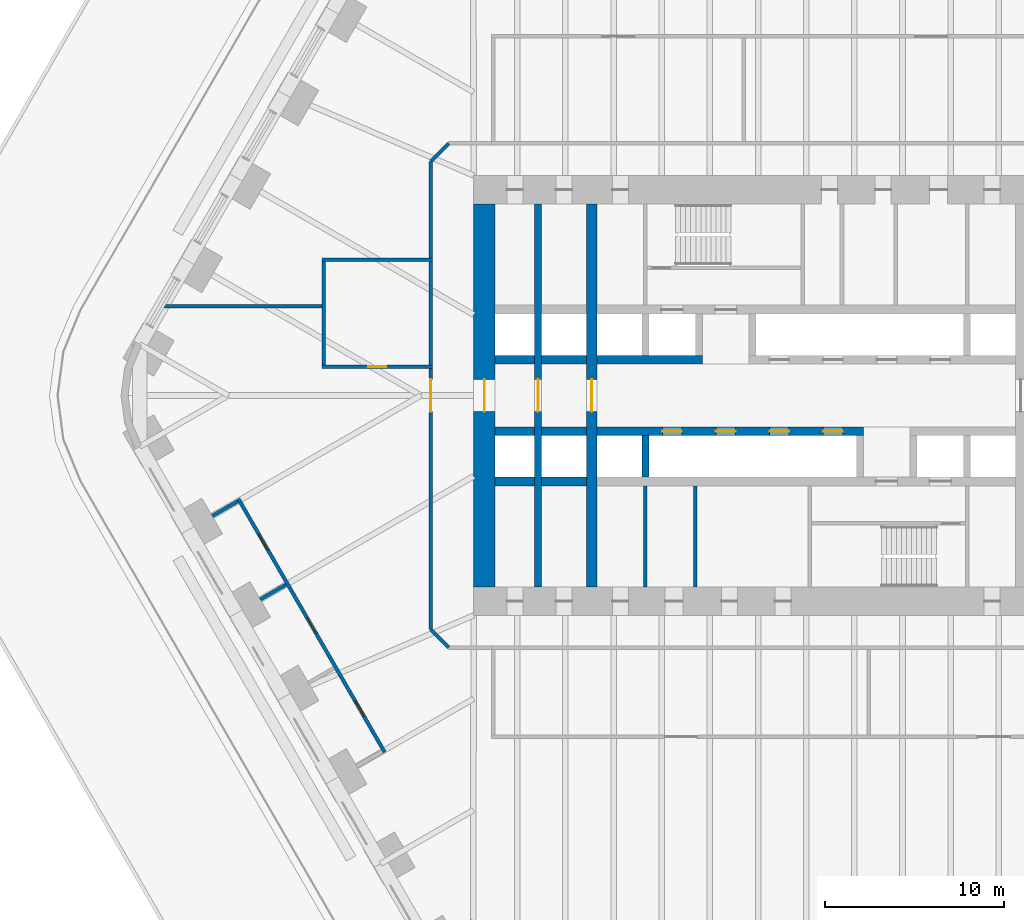
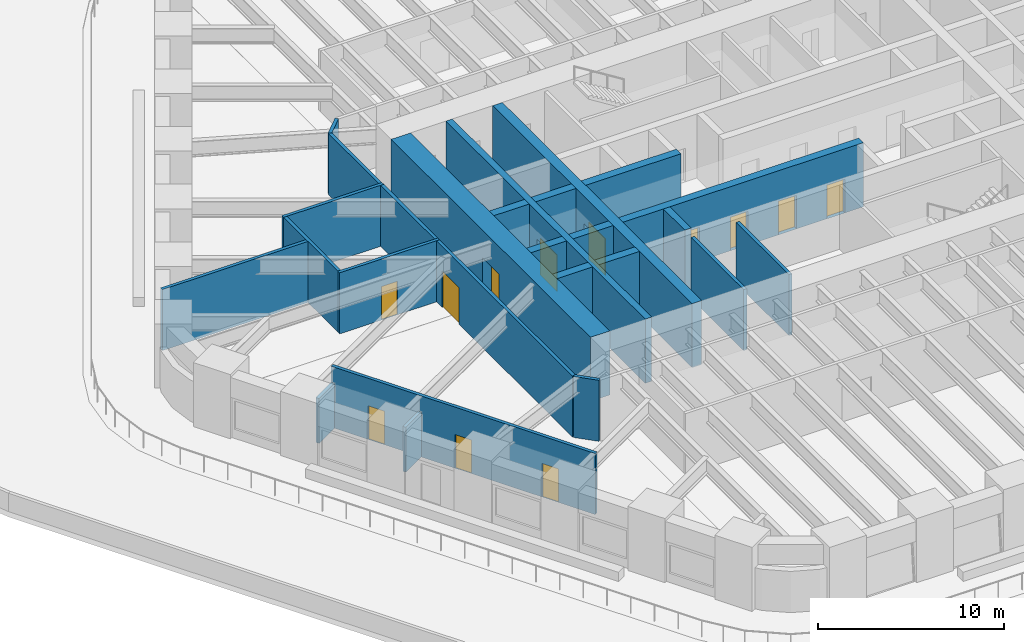
# One storey, part 9 of 17: 26 walls, 12 doors, 12 openings.
"""IFC4 building model written with IfcOpenShell, lengths in metres."""

from ifc_helpers import new_model, si_unit, direction, frame, frame_2d, origin, place, context, subcontext, project, spatial, rectangle, extrude, material, layer, layer_set, type_object, element, fill, save


model = new_model("IFC4")

# Units and contexts
model_context = context("Model", 3, precision=1e-05, world=origin(), true_north=direction((0.0, 1.0)))
body_context = subcontext(model_context, "Body", "Model", "MODEL_VIEW")
ifc_project = project(units=[si_unit("LENGTHUNIT", "METRE"), si_unit("AREAUNIT", "SQUARE_METRE"), si_unit("VOLUMEUNIT", "CUBIC_METRE"), si_unit("PLANEANGLEUNIT", "RADIAN"), si_unit("MASSUNIT", "GRAM", prefix="KILO")], contexts=[model_context])

# Site, building, storey
site_placement = place(None, origin())
site = spatial("IfcSite", under=ifc_project, at=site_placement, CompositionType="ELEMENT")
building_placement = place(site_placement, origin())
building = spatial("IfcBuilding", under=site, at=building_placement, Name="Tarfa Lantern Tower", CompositionType="ELEMENT")
storey_placement = place(building_placement, frame((0.0, 0.0, 23.5)))
storey = spatial("IfcBuildingStorey", under=building, at=storey_placement, Name="L04", CompositionType="ELEMENT", Elevation=23.5)

# Walls
ifc_material_1 = material(Name="Concrete blockwork", Category="masonry")
ifc_layer_1 = layer(ifc_material_1, 0.199951171875)
ifc_layer_set_1 = layer_set([ifc_layer_1], Name="IW1 BLOCKWORK PARTITION 200 EI 120")
wall_type_1 = type_object("IfcWallType", Name="IW1 BLOCKWORK PARTITION 200 EI 120", PredefinedType="PARTITIONING", material=ifc_layer_set_1)
for number, where, z_axis, x_axis, name in (
    (1, (-9.0, -5.050048828125, 0.0), (0.0, 0.0, 1.0), (0.0, -1.0, 0.0), "Core partition"),
    (2, (-6.199951171875, -5.050048828125, 0.0), (0.0, 0.0, 1.0), (0.0, -1.0, 0.0), "Core partition"),
):
    element("IfcWall", number, at=place(storey_placement, frame(where, z_axis=z_axis, x_axis=x_axis)), inside=storey, type_object=wall_type_1, Name=name, PredefinedType="PARTITIONING", context=body_context, shape_type="SweptSolid", body=[
        extrude(rectangle(XDim=5.64990234375, YDim=0.199951171875, at=frame_2d((2.824951171875, 0.0))), origin(), (0.0, 0.0, 1.0), 4.0),
    ])

# Wall, openings, doors
ifc_material_2 = material(Name="Gypsum board on steel studs", Category="steel")
ifc_layer_2 = layer(ifc_material_2, 0.2099609375)
ifc_layer_set_2 = layer_set([ifc_layer_2], Name="IW2 ACOUSTIC PARTITION 200")
wall_type_2 = type_object("IfcWallType", Name="IW2 ACOUSTIC PARTITION 200", PredefinedType="PARTITIONING", material=ifc_layer_set_2)
wall_1_placement = place(storey_placement, frame((-31.765869140625, -5.780029296875, 0.0), z_axis=(0.0, 0.0, 1.0), x_axis=(0.500005677665, -0.866022125758, 0.0)))
wall_1 = element("IfcWall", 3, at=wall_1_placement, inside=storey, type_object=wall_type_2, Name="Partition", PredefinedType="PARTITIONING", context=body_context, shape_type="SweptSolid", body=[
    extrude(rectangle(XDim=16.365966796875, YDim=0.199951171875, at=frame_2d((8.18310546875, 0.0))), origin(), (0.0, 0.0, 1.0), 4.0),
])
opening_1_placement = place(wall_1_placement, frame((2.294189453125, 0.0, 0.0)))
opening_1 = element("IfcOpeningElement", 4, at=opening_1_placement, cuts=wall_1, Name="Opening D31", PredefinedType="OPENING", context=body_context, shape_type="SweptSolid", body=[
    extrude(rectangle(XDim=1.0, YDim=2.199951171875, at=frame_2d((0.5, 1.10009765625))), frame((0.0, 0.10986328125, 0.0), z_axis=(0.0, -1.0, 0.0), x_axis=(1.0, 0.0, 0.0)), (0.0, 0.0, 1.0), 0.219970703125),
])
opening_2_placement = place(wall_1_placement, frame((7.682861328125, 0.0, 0.0)))
opening_2 = element("IfcOpeningElement", 5, at=opening_2_placement, cuts=wall_1, Name="Opening D32", PredefinedType="OPENING", context=body_context, shape_type="SweptSolid", body=[
    extrude(rectangle(XDim=1.0, YDim=2.199951171875, at=frame_2d((0.5, 1.10009765625))), frame((0.0, 0.10986328125, 0.0), z_axis=(0.0, -1.0, 0.0), x_axis=(1.0, 0.0, 0.0)), (0.0, 0.0, 1.0), 0.219970703125),
])
opening_3_placement = place(wall_1_placement, frame((13.071533203125, 0.0, 0.0)))
opening_3 = element("IfcOpeningElement", 6, at=opening_3_placement, cuts=wall_1, Name="Opening D33", PredefinedType="OPENING", context=body_context, shape_type="SweptSolid", body=[
    extrude(rectangle(XDim=1.0, YDim=2.199951171875, at=frame_2d((0.5, 1.10009765625))), frame((0.0, 0.10986328125, 0.0), z_axis=(0.0, -1.0, 0.0), x_axis=(1.0, 0.0, 0.0)), (0.0, 0.0, 1.0), 0.219970703125),
])
ifc_material_3 = material(Name="Timber door", Category="wood")
door_type_1 = type_object("IfcDoorType", Name="DR1 ROOM DOOR 1000x2200", OperationType="SINGLE_SWING_LEFT", PredefinedType="DOOR", material=ifc_material_3)
door_1_placement = place(opening_1_placement, frame((1.0, 0.0, 0.0), z_axis=(0.0, 0.0, 1.0), x_axis=(-1.0, 0.0, 0.0)))
door_1 = element("IfcDoor", 7, at=door_1_placement, inside=storey, type_object=door_type_1, Name="Prayer room male door", OperationType="SINGLE_SWING_LEFT", OverallHeight=2.199951171875, OverallWidth=1.0, PredefinedType="DOOR", context=body_context, shape_type="SweptSolid", body=[
    extrude(rectangle(XDim=1.0, YDim=2.199951171875, at=frame_2d((0.5, 1.10009765625))), frame((0.0, 0.02490234375, 0.0), z_axis=(0.0, -1.0, 0.0), x_axis=(1.0, 0.0, 0.0)), (0.0, 0.0, 1.0), 0.050048828125),
])
fill(opening_1, door_1)
door_2_placement = place(opening_2_placement, frame((1.0, 0.0, 0.0), z_axis=(0.0, 0.0, 1.0), x_axis=(-1.0, 0.0, 0.0)))
door_2 = element("IfcDoor", 8, at=door_2_placement, inside=storey, type_object=door_type_1, Name="Ablution room door", OperationType="SINGLE_SWING_RIGHT", OverallHeight=2.199951171875, OverallWidth=1.0, PredefinedType="DOOR", context=body_context, shape_type="SweptSolid", body=[
    extrude(rectangle(XDim=1.0, YDim=2.199951171875, at=frame_2d((0.5, 1.10009765625))), frame((0.0, 0.02490234375, 0.0), z_axis=(0.0, -1.0, 0.0), x_axis=(1.0, 0.0, 0.0)), (0.0, 0.0, 1.0), 0.050048828125),
])
fill(opening_2, door_2)
door_3_placement = place(opening_3_placement, frame((1.0, 0.0, 0.0), z_axis=(0.0, 0.0, 1.0), x_axis=(-1.0, 0.0, 0.0)))
door_3 = element("IfcDoor", 9, at=door_3_placement, inside=storey, type_object=door_type_1, Name="Prayer room female door", OperationType="SINGLE_SWING_RIGHT", OverallHeight=2.199951171875, OverallWidth=1.0, PredefinedType="DOOR", context=body_context, shape_type="SweptSolid", body=[
    extrude(rectangle(XDim=1.0, YDim=2.199951171875, at=frame_2d((0.5, 1.10009765625))), frame((0.0, 0.02490234375, 0.0), z_axis=(0.0, -1.0, 0.0), x_axis=(1.0, 0.0, 0.0)), (0.0, 0.0, 1.0), 0.050048828125),
])
fill(opening_3, door_3)

# Walls
wall_2_placement = place(storey_placement, frame((-31.802490234375, -5.916748046875, 0.0), z_axis=(0.0, 0.0, 1.0), x_axis=(-0.866003217194, -0.500038426333, 0.0)))
element("IfcWall", 10, at=wall_2_placement, inside=storey, type_object=wall_type_2, Name="Partition", PredefinedType="PARTITIONING", context=body_context, shape_type="SweptSolid", body=[
    extrude(rectangle(XDim=1.649658203125, YDim=0.199951171875, at=frame_2d((0.82470703125, 0.0))), origin(), (0.0, 0.0, 1.0), 2.944091796875),
])
wall_3_placement = place(storey_placement, frame((-29.108154296875, -10.583251953125, 0.0), z_axis=(0.0, 0.0, 1.0), x_axis=(-0.865976140824, -0.500085316245, 0.0)))
element("IfcWall", 11, at=wall_3_placement, inside=storey, type_object=wall_type_2, Name="Partition", PredefinedType="PARTITIONING", context=body_context, shape_type="SweptSolid", body=[
    extrude(rectangle(XDim=1.650146484375, YDim=0.199951171875, at=frame_2d((0.8251953125, 0.0))), origin(), (0.0, 0.0, 1.0), 2.944091796875),
])

# Wall, opening, door
wall_4_placement = place(storey_placement, frame((-20.89990234375, 1.60009765625, 0.0), z_axis=(0.0, 0.0, 1.0), x_axis=(-1.0, 0.0, 0.0)))
wall_4 = element("IfcWall", 12, at=wall_4_placement, inside=storey, type_object=wall_type_2, Name="Partition", PredefinedType="PARTITIONING", context=body_context, shape_type="SweptSolid", body=[
    extrude(rectangle(XDim=6.2001953125, YDim=0.199951171875, at=frame_2d((3.10009765625, 0.0))), origin(), (0.0, 0.0, 1.0), 4.0),
])
opening_4_placement = place(wall_4_placement, frame((2.60009765625, 0.0, 0.0)))
opening_4 = element("IfcOpeningElement", 13, at=opening_4_placement, cuts=wall_4, Name="Opening D34", PredefinedType="OPENING", context=body_context, shape_type="SweptSolid", body=[
    extrude(rectangle(XDim=1.0, YDim=2.199951171875, at=frame_2d((0.5, 1.10009765625))), frame((0.0, 0.10986328125, 0.0), z_axis=(0.0, -1.0, 0.0), x_axis=(1.0, 0.0, 0.0)), (0.0, 0.0, 1.0), 0.219970703125),
])
door_4_placement = place(opening_4_placement, frame((1.0, 0.0, 0.0), z_axis=(0.0, 0.0, 1.0), x_axis=(-1.0, 0.0, 0.0)))
door_4 = element("IfcDoor", 14, at=door_4_placement, inside=storey, type_object=door_type_1, Name="Pantry door", OperationType="SINGLE_SWING_LEFT", OverallHeight=2.199951171875, OverallWidth=1.0, PredefinedType="DOOR", context=body_context, shape_type="SweptSolid", body=[
    extrude(rectangle(XDim=1.0, YDim=2.199951171875, at=frame_2d((0.5, 1.10009765625))), frame((0.0, 0.02490234375, 0.0), z_axis=(0.0, -1.0, 0.0), x_axis=(1.0, 0.0, 0.0)), (0.0, 0.0, 1.0), 0.050048828125),
])
fill(opening_4, door_4)

# Walls
wall_5_placement = place(storey_placement, frame((-20.89990234375, 7.60009765625, 0.0), z_axis=(0.0, 0.0, 1.0), x_axis=(-1.0, 0.0, 0.0)))
element("IfcWall", 15, at=wall_5_placement, inside=storey, type_object=wall_type_2, Name="Partition", PredefinedType="PARTITIONING", context=body_context, shape_type="SweptSolid", body=[
    extrude(rectangle(XDim=6.2001953125, YDim=0.199951171875, at=frame_2d((3.10009765625, 0.0))), origin(), (0.0, 0.0, 1.0), 4.0),
])
for number, where, z_axis, x_axis, name in (
    (16, (-21.0, 1.699951171875, 0.0), (0.0, 0.0, 1.0), (0.0, 1.0, 0.0), "Partition"),
    (17, (-27.0, 1.699951171875, 0.0), (0.0, 0.0, 1.0), (0.0, 1.0, 0.0), "Partition"),
):
    element("IfcWall", number, at=place(storey_placement, frame(where, z_axis=z_axis, x_axis=x_axis)), inside=storey, type_object=wall_type_2, Name=name, PredefinedType="PARTITIONING", context=body_context, shape_type="SweptSolid", body=[
        extrude(rectangle(XDim=5.800048828125, YDim=0.199951171875, at=frame_2d((2.89990234375, 0.0))), origin(), (0.0, 0.0, 1.0), 4.0),
    ])
wall_6_placement = place(storey_placement, frame((-20.0, -14.10009765625, 0.0), z_axis=(0.0, 0.0, 1.0), x_axis=(-0.707106781187, 0.707106781187, 0.0)))
element("IfcWall", 18, at=wall_6_placement, inside=storey, type_object=wall_type_2, Name="Partition", PredefinedType="PARTITIONING", context=body_context, shape_type="SweptSolid", body=[
    extrude(rectangle(XDim=1.414306640625, YDim=0.199951171875, at=frame_2d((0.70703125, 0.0))), origin(), (0.0, 0.0, 1.0), 4.0),
])

# Wall, opening, door
wall_7_placement = place(storey_placement, frame((-21.0, -13.10009765625, 0.0), z_axis=(0.0, 0.0, 1.0), x_axis=(0.0, 1.0, 0.0)))
wall_7 = element("IfcWall", 19, at=wall_7_placement, inside=storey, type_object=wall_type_2, Name="Partition", PredefinedType="PARTITIONING", context=body_context, shape_type="SweptSolid", body=[
    extrude(rectangle(XDim=14.59912109375, YDim=0.199951171875, at=frame_2d((7.299560546875, 0.0))), origin(), (0.0, 0.0, 1.0), 4.0),
])
opening_5_placement = place(wall_7_placement, frame((12.199951171875, 0.0, 0.0)))
opening_5 = element("IfcOpeningElement", 20, at=opening_5_placement, cuts=wall_7, Name="Opening D42", PredefinedType="OPENING", context=body_context, shape_type="SweptSolid", body=[
    extrude(rectangle(XDim=1.800048828125, YDim=2.39990234375, at=frame_2d((0.89990234375, 1.199951171875))), frame((0.0, 0.10986328125, 0.0), z_axis=(0.0, -1.0, 0.0), x_axis=(1.0, 0.0, 0.0)), (0.0, 0.0, 1.0), 0.219970703125),
])
door_type_2 = type_object("IfcDoorType", Name="DR2 ROOM DOOR 1800x2400", OperationType="DOUBLE_DOOR_SINGLE_SWING", PredefinedType="DOOR", material=ifc_material_3)
door_5_placement = place(opening_5_placement, origin())
door_5 = element("IfcDoor", 21, at=door_5_placement, inside=storey, type_object=door_type_2, Name="Corridor door", OperationType="DOUBLE_DOOR_SINGLE_SWING", OverallHeight=2.39990234375, OverallWidth=1.800048828125, PredefinedType="DOOR", context=body_context, shape_type="SweptSolid", body=[
    extrude(rectangle(XDim=1.800048828125, YDim=2.39990234375, at=frame_2d((0.89990234375, 1.199951171875))), frame((0.0, 0.02490234375, 0.0), z_axis=(0.0, -1.0, 0.0), x_axis=(1.0, 0.0, 0.0)), (0.0, 0.0, 1.0), 0.050048828125),
])
fill(opening_5, door_5)

# Walls
wall_8_placement = place(storey_placement, frame((-21.0, 7.700927734375, 0.0), z_axis=(0.0, 0.0, 1.0), x_axis=(0.0, 1.0, 0.0)))
element("IfcWall", 22, at=wall_8_placement, inside=storey, type_object=wall_type_2, Name="Partition", PredefinedType="PARTITIONING", context=body_context, shape_type="SweptSolid", body=[
    extrude(rectangle(XDim=5.399169921875, YDim=0.199951171875, at=frame_2d((2.69970703125, 0.0))), origin(), (0.0, 0.0, 1.0), 4.0),
])
wall_9_placement = place(storey_placement, frame((-21.0, 13.10009765625, 0.0), z_axis=(0.0, 0.0, 1.0), x_axis=(0.707106781187, 0.707106781187, 0.0)))
element("IfcWall", 23, at=wall_9_placement, inside=storey, type_object=wall_type_2, Name="Partition", PredefinedType="PARTITIONING", context=body_context, shape_type="SweptSolid", body=[
    extrude(rectangle(XDim=1.414306640625, YDim=0.199951171875, at=frame_2d((0.70703125, 0.0))), origin(), (0.0, 0.0, 1.0), 4.0),
])
wall_10_placement = place(storey_placement, frame((-27.10009765625, 5.0, 0.0), z_axis=(0.0, 0.0, 1.0), x_axis=(-1.0, 0.0, 0.0)))
element("IfcWall", 24, at=wall_10_placement, inside=storey, type_object=wall_type_2, Name="Partition", PredefinedType="PARTITIONING", context=body_context, shape_type="SweptSolid", body=[
    extrude(rectangle(XDim=9.018798828125, YDim=0.199951171875, at=frame_2d((4.50927734375, 0.0))), origin(), (0.0, 0.0, 1.0), 4.0),
])

# Wall, opening, door
ifc_material_4 = material(Name="Concrete C80/95", Category="concrete")
ifc_layer_3 = layer(ifc_material_4, 1.199951171875)
ifc_layer_set_3 = layer_set([ifc_layer_3], Name="SW1 CORE WALL 1200")
wall_type_3 = type_object("IfcWallType", Name="SW1 CORE WALL 1200", PredefinedType="SHEAR", material=ifc_layer_set_3)
wall_11_placement = place(storey_placement, frame((-18.0, 10.699951171875, 0.0), z_axis=(0.0, 0.0, 1.0), x_axis=(0.0, -1.0, 0.0)))
wall_11 = element("IfcWall", 25, at=wall_11_placement, inside=storey, type_object=wall_type_3, Name="Core wall W", PredefinedType="SHEAR", context=body_context, shape_type="SweptSolid", body=[
    extrude(rectangle(XDim=21.39990234375, YDim=1.199951171875, at=frame_2d((10.699951171875, 0.0))), origin(), (0.0, 0.0, 1.0), 4.199951171875),
])
opening_6_placement = place(wall_11_placement, frame((9.800048828125, 0.0, 0.0)))
opening_6 = element("IfcOpeningElement", 26, at=opening_6_placement, cuts=wall_11, Name="Opening D16", PredefinedType="OPENING", context=body_context, shape_type="SweptSolid", body=[
    extrude(rectangle(XDim=1.800048828125, YDim=2.39990234375, at=frame_2d((0.89990234375, 1.199951171875))), frame((0.0, 0.60986328125, 0.0), z_axis=(0.0, -1.0, 0.0), x_axis=(1.0, 0.0, 0.0)), (0.0, 0.0, 1.0), 1.219970703125),
])
ifc_material_5 = material(Name="Steel fire door", Category="steel")
door_type_3 = type_object("IfcDoorType", Name="DL1 LOBBY DOOR 1800x2400", OperationType="DOUBLE_DOOR_SINGLE_SWING", PredefinedType="DOOR", material=ifc_material_5)
door_6_placement = place(opening_6_placement, frame((1.800048828125, 0.0, 0.0), z_axis=(0.0, 0.0, 1.0), x_axis=(-1.0, 0.0, 0.0)))
door_6 = element("IfcDoor", 27, at=door_6_placement, inside=storey, type_object=door_type_3, Name="Lift lobby door", OperationType="DOUBLE_DOOR_SINGLE_SWING", OverallHeight=2.39990234375, OverallWidth=1.800048828125, PredefinedType="DOOR", context=body_context, shape_type="SweptSolid", body=[
    extrude(rectangle(XDim=1.800048828125, YDim=2.39990234375, at=frame_2d((0.89990234375, 1.199951171875))), frame((0.0, 0.02490234375, 0.0), z_axis=(0.0, -1.0, 0.0), x_axis=(1.0, 0.0, 0.0)), (0.0, 0.0, 1.0), 0.050048828125),
])
fill(opening_6, door_6)

# Walls
ifc_layer_4 = layer(ifc_material_4, 0.5)
ifc_layer_set_4 = layer_set([ifc_layer_4], Name="SW5 CORE WALL 500")
wall_type_4 = type_object("IfcWallType", Name="SW5 CORE WALL 500", PredefinedType="SHEAR", material=ifc_layer_set_4)
wall_12_placement = place(storey_placement, frame((-17.39990234375, 2.0, 0.0), z_axis=(0.0, 0.0, 1.0), x_axis=(1.0, 0.0, 0.0)))
element("IfcWall", 28, at=wall_12_placement, inside=storey, type_object=wall_type_4, Name="Core wall lobby west N", PredefinedType="SHEAR", context=body_context, shape_type="SweptSolid", body=[
    extrude(rectangle(XDim=2.199951171875, YDim=0.5, at=frame_2d((1.10009765625, 0.0))), origin(), (0.0, 0.0, 1.0), 4.199951171875),
])
wall_13_placement = place(storey_placement, frame((-14.800048828125, 2.0, 0.0), z_axis=(0.0, 0.0, 1.0), x_axis=(1.0, 0.0, 0.0)))
element("IfcWall", 29, at=wall_13_placement, inside=storey, type_object=wall_type_4, Name="Core wall lobby west N", PredefinedType="SHEAR", context=body_context, shape_type="SweptSolid", body=[
    extrude(rectangle(XDim=2.5, YDim=0.5, at=frame_2d((1.25, 0.0))), origin(), (0.0, 0.0, 1.0), 4.199951171875),
])
wall_14_placement = place(storey_placement, frame((-11.699951171875, 2.0, 0.0), z_axis=(0.0, 0.0, 1.0), x_axis=(1.0, 0.0, 0.0)))
element("IfcWall", 30, at=wall_14_placement, inside=storey, type_object=wall_type_4, Name="Core wall lobby west N", PredefinedType="SHEAR", context=body_context, shape_type="SweptSolid", body=[
    extrude(rectangle(XDim=5.89990234375, YDim=0.5, at=frame_2d((2.949951171875, 0.0))), origin(), (0.0, 0.0, 1.0), 4.199951171875),
])

# Wall, openings, doors
wall_15_placement = place(storey_placement, frame((3.199951171875, -2.0, 0.0), z_axis=(0.0, 0.0, 1.0), x_axis=(-1.0, 0.0, 0.0)))
wall_15 = element("IfcWall", 31, at=wall_15_placement, inside=storey, type_object=wall_type_4, Name="Core wall lobby east S", PredefinedType="SHEAR", context=body_context, shape_type="SweptSolid", body=[
    extrude(rectangle(XDim=14.89990234375, YDim=0.5, at=frame_2d((7.449951171875, 0.0))), origin(), (0.0, 0.0, 1.0), 4.199951171875),
])
opening_7_placement = place(wall_15_placement, frame((1.14990234375, 0.0, 0.0)))
opening_7 = element("IfcOpeningElement", 32, at=opening_7_placement, cuts=wall_15, Name="Opening LD07", PredefinedType="OPENING", context=body_context, shape_type="SweptSolid", body=[
    extrude(rectangle(XDim=1.10009765625, YDim=2.199951171875, at=frame_2d((0.550048828125, 1.10009765625))), frame((0.0, 0.260009765625, 0.0), z_axis=(0.0, -1.0, 0.0), x_axis=(1.0, 0.0, 0.0)), (0.0, 0.0, 1.0), 0.52001953125),
])
opening_8_placement = place(wall_15_placement, frame((4.14990234375, 0.0, 0.0)))
opening_8 = element("IfcOpeningElement", 33, at=opening_8_placement, cuts=wall_15, Name="Opening LD08", PredefinedType="OPENING", context=body_context, shape_type="SweptSolid", body=[
    extrude(rectangle(XDim=1.10009765625, YDim=2.199951171875, at=frame_2d((0.550048828125, 1.10009765625))), frame((0.0, 0.260009765625, 0.0), z_axis=(0.0, -1.0, 0.0), x_axis=(1.0, 0.0, 0.0)), (0.0, 0.0, 1.0), 0.52001953125),
])
opening_9_placement = place(wall_15_placement, frame((7.14990234375, 0.0, 0.0)))
opening_9 = element("IfcOpeningElement", 34, at=opening_9_placement, cuts=wall_15, Name="Opening LD09", PredefinedType="OPENING", context=body_context, shape_type="SweptSolid", body=[
    extrude(rectangle(XDim=1.10009765625, YDim=2.199951171875, at=frame_2d((0.550048828125, 1.10009765625))), frame((0.0, 0.260009765625, 0.0), z_axis=(0.0, -1.0, 0.0), x_axis=(1.0, 0.0, 0.0)), (0.0, 0.0, 1.0), 0.52001953125),
])
opening_10_placement = place(wall_15_placement, frame((10.14990234375, 0.0, 0.0)))
opening_10 = element("IfcOpeningElement", 35, at=opening_10_placement, cuts=wall_15, Name="Opening LD10", PredefinedType="OPENING", context=body_context, shape_type="SweptSolid", body=[
    extrude(rectangle(XDim=1.10009765625, YDim=2.199951171875, at=frame_2d((0.550048828125, 1.10009765625))), frame((0.0, 0.260009765625, 0.0), z_axis=(0.0, -1.0, 0.0), x_axis=(1.0, 0.0, 0.0)), (0.0, 0.0, 1.0), 0.52001953125),
])
ifc_material_6 = material(Name="Stainless steel lift door", Category="steel")
door_type_4 = type_object("IfcDoorType", Name="LD2 LIFT LANDING DOOR 1100x2200", OperationType="SLIDING_TO_LEFT", PredefinedType="DOOR", material=ifc_material_6)
door_7_placement = place(opening_7_placement, frame((1.10009765625, 0.0, 0.0), z_axis=(0.0, 0.0, 1.0), x_axis=(-1.0, 0.0, 0.0)))
door_7 = element("IfcDoor", 36, at=door_7_placement, inside=storey, type_object=door_type_4, Name="Landing door PA5", OperationType="SLIDING_TO_LEFT", OverallHeight=2.199951171875, OverallWidth=1.10009765625, PredefinedType="DOOR", context=body_context, shape_type="SweptSolid", body=[
    extrude(rectangle(XDim=1.10009765625, YDim=2.199951171875, at=frame_2d((0.550048828125, 1.10009765625))), frame((0.0, 0.02490234375, 0.0), z_axis=(0.0, -1.0, 0.0), x_axis=(1.0, 0.0, 0.0)), (0.0, 0.0, 1.0), 0.050048828125),
])
fill(opening_7, door_7)
door_8_placement = place(opening_8_placement, frame((1.10009765625, 0.0, 0.0), z_axis=(0.0, 0.0, 1.0), x_axis=(-1.0, 0.0, 0.0)))
door_8 = element("IfcDoor", 37, at=door_8_placement, inside=storey, type_object=door_type_4, Name="Landing door PA6", OperationType="SLIDING_TO_LEFT", OverallHeight=2.199951171875, OverallWidth=1.10009765625, PredefinedType="DOOR", context=body_context, shape_type="SweptSolid", body=[
    extrude(rectangle(XDim=1.10009765625, YDim=2.199951171875, at=frame_2d((0.550048828125, 1.10009765625))), frame((0.0, 0.02490234375, 0.0), z_axis=(0.0, -1.0, 0.0), x_axis=(1.0, 0.0, 0.0)), (0.0, 0.0, 1.0), 0.050048828125),
])
fill(opening_8, door_8)
door_9_placement = place(opening_9_placement, frame((1.10009765625, 0.0, 0.0), z_axis=(0.0, 0.0, 1.0), x_axis=(-1.0, 0.0, 0.0)))
door_9 = element("IfcDoor", 38, at=door_9_placement, inside=storey, type_object=door_type_4, Name="Landing door PA7", OperationType="SLIDING_TO_LEFT", OverallHeight=2.199951171875, OverallWidth=1.10009765625, PredefinedType="DOOR", context=body_context, shape_type="SweptSolid", body=[
    extrude(rectangle(XDim=1.10009765625, YDim=2.199951171875, at=frame_2d((0.550048828125, 1.10009765625))), frame((0.0, 0.02490234375, 0.0), z_axis=(0.0, -1.0, 0.0), x_axis=(1.0, 0.0, 0.0)), (0.0, 0.0, 1.0), 0.050048828125),
])
fill(opening_9, door_9)
door_10_placement = place(opening_10_placement, frame((1.10009765625, 0.0, 0.0), z_axis=(0.0, 0.0, 1.0), x_axis=(-1.0, 0.0, 0.0)))
door_10 = element("IfcDoor", 39, at=door_10_placement, inside=storey, type_object=door_type_4, Name="Landing door PA8", OperationType="SLIDING_TO_LEFT", OverallHeight=2.199951171875, OverallWidth=1.10009765625, PredefinedType="DOOR", context=body_context, shape_type="SweptSolid", body=[
    extrude(rectangle(XDim=1.10009765625, YDim=2.199951171875, at=frame_2d((0.550048828125, 1.10009765625))), frame((0.0, 0.02490234375, 0.0), z_axis=(0.0, -1.0, 0.0), x_axis=(1.0, 0.0, 0.0)), (0.0, 0.0, 1.0), 0.050048828125),
])
fill(opening_10, door_10)

# Walls
wall_16_placement = place(storey_placement, frame((-12.300048828125, -2.0, 0.0), z_axis=(0.0, 0.0, 1.0), x_axis=(-1.0, 0.0, 0.0)))
element("IfcWall", 40, at=wall_16_placement, inside=storey, type_object=wall_type_4, Name="Core wall lobby east S", PredefinedType="SHEAR", context=body_context, shape_type="SweptSolid", body=[
    extrude(rectangle(XDim=2.5, YDim=0.5, at=frame_2d((1.25, 0.0))), origin(), (0.0, 0.0, 1.0), 4.199951171875),
])
wall_17_placement = place(storey_placement, frame((-15.199951171875, -2.0, 0.0), z_axis=(0.0, 0.0, 1.0), x_axis=(-1.0, 0.0, 0.0)))
element("IfcWall", 41, at=wall_17_placement, inside=storey, type_object=wall_type_4, Name="Core wall lobby east S", PredefinedType="SHEAR", context=body_context, shape_type="SweptSolid", body=[
    extrude(rectangle(XDim=2.199951171875, YDim=0.5, at=frame_2d((1.10009765625, 0.0))), origin(), (0.0, 0.0, 1.0), 4.199951171875),
])
wall_18_placement = place(storey_placement, frame((-12.300048828125, -4.800048828125, 0.0), z_axis=(0.0, 0.0, 1.0), x_axis=(-1.0, 0.0, 0.0)))
element("IfcWall", 42, at=wall_18_placement, inside=storey, type_object=wall_type_4, Name="Core wall rear S", PredefinedType="SHEAR", context=body_context, shape_type="SweptSolid", body=[
    extrude(rectangle(XDim=2.5, YDim=0.5, at=frame_2d((1.25, 0.0))), origin(), (0.0, 0.0, 1.0), 4.199951171875),
])
wall_19_placement = place(storey_placement, frame((-15.199951171875, -4.800048828125, 0.0), z_axis=(0.0, 0.0, 1.0), x_axis=(-1.0, 0.0, 0.0)))
element("IfcWall", 43, at=wall_19_placement, inside=storey, type_object=wall_type_4, Name="Core wall rear S", PredefinedType="SHEAR", context=body_context, shape_type="SweptSolid", body=[
    extrude(rectangle(XDim=2.199951171875, YDim=0.5, at=frame_2d((1.10009765625, 0.0))), origin(), (0.0, 0.0, 1.0), 4.199951171875),
])

# Wall, opening, door
ifc_layer_5 = layer(ifc_material_4, 0.39990234375)
ifc_layer_set_5 = layer_set([ifc_layer_5], Name="SW6 CORE WALL 400")
wall_type_5 = type_object("IfcWallType", Name="SW6 CORE WALL 400", PredefinedType="SHEAR", material=ifc_layer_set_5)
wall_20_placement = place(storey_placement, frame((-15.0, -10.699951171875, 0.0), z_axis=(0.0, 0.0, 1.0), x_axis=(0.0, 1.0, 0.0)))
wall_20 = element("IfcWall", 44, at=wall_20_placement, inside=storey, type_object=wall_type_5, Name="Core wall cross 15 m west", PredefinedType="SHEAR", context=body_context, shape_type="SweptSolid", body=[
    extrude(rectangle(XDim=21.39990234375, YDim=0.39990234375, at=frame_2d((10.699951171875, 0.0))), origin(), (0.0, 0.0, 1.0), 4.199951171875),
])
opening_11_placement = place(wall_20_placement, frame((9.800048828125, 0.0, 0.0)))
opening_11 = element("IfcOpeningElement", 45, at=opening_11_placement, cuts=wall_20, Name="Opening D28", PredefinedType="OPENING", context=body_context, shape_type="SweptSolid", body=[
    extrude(rectangle(XDim=1.800048828125, YDim=2.39990234375, at=frame_2d((0.89990234375, 1.199951171875))), frame((0.0, 0.2099609375, 0.0), z_axis=(0.0, -1.0, 0.0), x_axis=(1.0, 0.0, 0.0)), (0.0, 0.0, 1.0), 0.419921875),
])
door_11_placement = place(opening_11_placement, origin())
door_11 = element("IfcDoor", 46, at=door_11_placement, inside=storey, type_object=door_type_3, Name="Lift lobby door", OperationType="DOUBLE_DOOR_SINGLE_SWING", OverallHeight=2.39990234375, OverallWidth=1.800048828125, PredefinedType="DOOR", context=body_context, shape_type="SweptSolid", body=[
    extrude(rectangle(XDim=1.800048828125, YDim=2.39990234375, at=frame_2d((0.89990234375, 1.199951171875))), frame((0.0, 0.02490234375, 0.0), z_axis=(0.0, -1.0, 0.0), x_axis=(1.0, 0.0, 0.0)), (0.0, 0.0, 1.0), 0.050048828125),
])
fill(opening_11, door_11)

# Wall
wall_21_placement = place(storey_placement, frame((-9.0, -2.25, 0.0), z_axis=(0.0, 0.0, 1.0), x_axis=(0.0, -1.0, 0.0)))
element("IfcWall", 47, at=wall_21_placement, inside=storey, type_object=wall_type_5, Name="Core wall divider S", PredefinedType="SHEAR", context=body_context, shape_type="SweptSolid", body=[
    extrude(rectangle(XDim=2.300048828125, YDim=0.39990234375, at=frame_2d((1.14990234375, 0.0))), origin(), (0.0, 0.0, 1.0), 4.199951171875),
])

# Wall, opening, door
ifc_layer_6 = layer(ifc_material_4, 0.60009765625)
ifc_layer_set_6 = layer_set([ifc_layer_6], Name="SW9 CORE WALL 600")
wall_type_6 = type_object("IfcWallType", Name="SW9 CORE WALL 600", PredefinedType="SHEAR", material=ifc_layer_set_6)
wall_22_placement = place(storey_placement, frame((-12.0, -10.699951171875, 0.0), z_axis=(0.0, 0.0, 1.0), x_axis=(0.0, 1.0, 0.0)))
wall_22 = element("IfcWall", 48, at=wall_22_placement, inside=storey, type_object=wall_type_6, Name="Core wall cross 12 m west", PredefinedType="SHEAR", context=body_context, shape_type="SweptSolid", body=[
    extrude(rectangle(XDim=21.39990234375, YDim=0.60009765625, at=frame_2d((10.699951171875, 0.0))), origin(), (0.0, 0.0, 1.0), 4.199951171875),
])
opening_12_placement = place(wall_22_placement, frame((9.800048828125, 0.0, 0.0)))
opening_12 = element("IfcOpeningElement", 49, at=opening_12_placement, cuts=wall_22, Name="Opening D27", PredefinedType="OPENING", context=body_context, shape_type="SweptSolid", body=[
    extrude(rectangle(XDim=1.800048828125, YDim=2.39990234375, at=frame_2d((0.89990234375, 1.199951171875))), frame((0.0, 0.31005859375, 0.0), z_axis=(0.0, -1.0, 0.0), x_axis=(1.0, 0.0, 0.0)), (0.0, 0.0, 1.0), 0.6201171875),
])
door_12_placement = place(opening_12_placement, origin())
door_12 = element("IfcDoor", 50, at=door_12_placement, inside=storey, type_object=door_type_3, Name="Lift lobby door", OperationType="DOUBLE_DOOR_SINGLE_SWING", OverallHeight=2.39990234375, OverallWidth=1.800048828125, PredefinedType="DOOR", context=body_context, shape_type="SweptSolid", body=[
    extrude(rectangle(XDim=1.800048828125, YDim=2.39990234375, at=frame_2d((0.89990234375, 1.199951171875))), frame((0.0, 0.02490234375, 0.0), z_axis=(0.0, -1.0, 0.0), x_axis=(1.0, 0.0, 0.0)), (0.0, 0.0, 1.0), 0.050048828125),
])
fill(opening_12, door_12)

save(model, "model.ifc")
